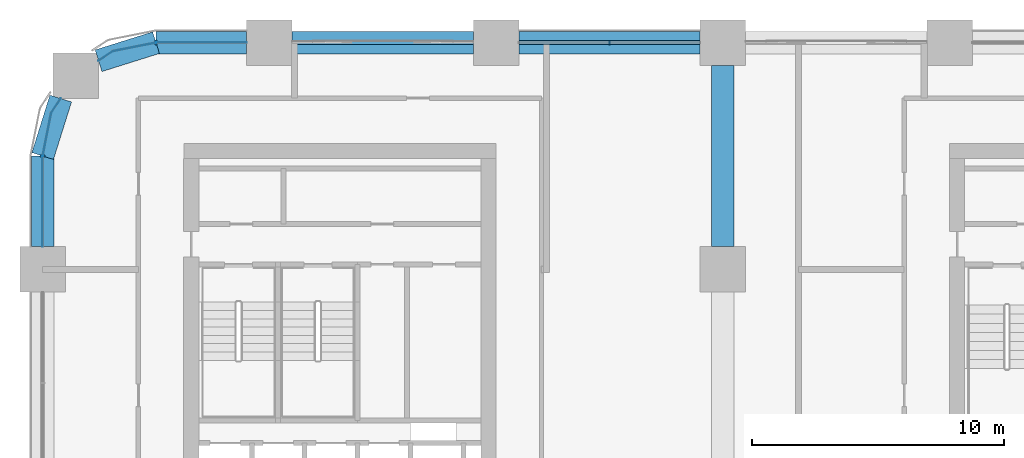
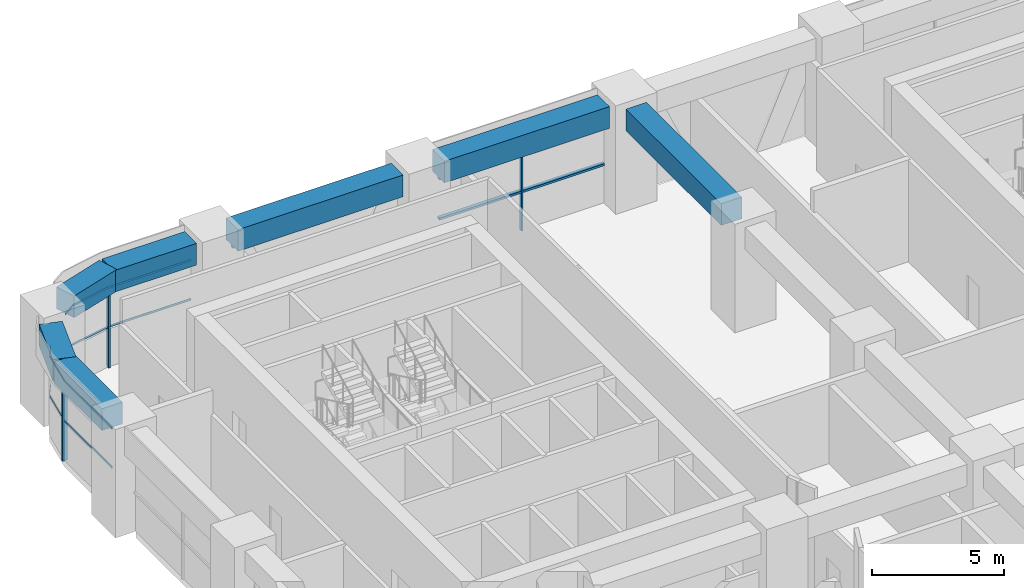
# One storey, part 8 of 26: 10 members, 7 beams, 4 elements without a shape of their own.
"""IFC4 building model written with IfcOpenShell, lengths in metres."""

from ifc_helpers import new_model, si_unit, direction, frame, origin, origin_2d, place, context, subcontext, project, spatial, polyline, rectangle, outline, extrude, material, material_profile, profile_set, type_object, element, aggregate, save


model = new_model("IFC4")

# Units and contexts
model_context = context("Model", 3, precision=1e-05, world=origin(), true_north=direction((0.0, 1.0)))
body_context = subcontext(model_context, "Body", "Model", "MODEL_VIEW")
ifc_project = project(units=[si_unit("LENGTHUNIT", "METRE"), si_unit("AREAUNIT", "SQUARE_METRE"), si_unit("VOLUMEUNIT", "CUBIC_METRE"), si_unit("PLANEANGLEUNIT", "RADIAN"), si_unit("MASSUNIT", "GRAM", prefix="KILO")], contexts=[model_context])

# Site, building, storey
site_placement = place(None, origin())
site = spatial("IfcSite", under=ifc_project, at=site_placement, CompositionType="ELEMENT")
building_placement = place(site_placement, origin())
building = spatial("IfcBuilding", under=site, at=building_placement, Name="Tessera Arch", CompositionType="ELEMENT")
storey_placement = place(building_placement, frame((0.0, 0.0, 72.800048828125)))
storey = spatial("IfcBuildingStorey", under=building, at=storey_placement, Name="L16", CompositionType="ELEMENT", Elevation=72.800048828125)

# Curtain wall, members
ifc_material_1 = material(Name="CW1 curtain wall")
curtain_wall_type_1 = type_object("IfcCurtainWallType", Name="CW1 curtain wall", PredefinedType="NOTDEFINED", material=ifc_material_1)
curtain_wall_1_placement = place(storey_placement, origin())
curtain_wall_1 = element("IfcCurtainWall", 1, at=curtain_wall_1_placement, inside=storey, type_object=curtain_wall_type_1, Name="CW1 curtain wall N54.0/3 L16", PredefinedType="NOTDEFINED")
ifc_material_2 = material(Name="Anodised aluminium pale metal", Category="aluminium")
ifc_material_profile_1 = material_profile(ifc_material_2, rectangle(XDim=0.159912109375, YDim=0.06005859375, at=origin_2d()), Name="AL 60x160")
ifc_profile_set_1 = profile_set([ifc_material_profile_1], Name="Anodised aluminium pale metal")
member_type_1 = type_object("IfcMemberType", Name="CW1 mullion", PredefinedType="MULLION", material=ifc_profile_set_1)
member_1_placement = place(storey_placement, frame((22.5, 54.0, 0.0), z_axis=(0.0, 0.0, 1.0), x_axis=(0.0, -1.0, 0.0)))
member_1 = element("IfcMember", 2, at=member_1_placement, type_object=member_type_1, Name="CW1 mullion N54.0/3 1", PredefinedType="MULLION", context=body_context, shape_type="SweptSolid", body=[
    extrude(rectangle(XDim=0.159912109375, YDim=0.06005859375, at=origin_2d()), origin(), (0.0, 0.0, 1.0), 3.599853515625),
])
ifc_material_3 = material(Name="Anodised aluminium pale metal", Category="aluminium")
ifc_material_profile_2 = material_profile(ifc_material_3, rectangle(XDim=0.159912109375, YDim=0.10009765625, at=origin_2d()), Name="AL 160x100")
ifc_profile_set_2 = profile_set([ifc_material_profile_2], Name="Anodised aluminium pale metal")
member_type_2 = type_object("IfcMemberType", Name="CW1 transom", PredefinedType="USERDEFINED", material=ifc_profile_set_2)
member_2_placement = place(storey_placement, frame((26.10009765625, 54.0, 3.64990234375), z_axis=(-1.0, 0.0, 0.0), x_axis=(0.0, -1.0, 0.0)))
member_2 = element("IfcMember", 3, at=member_2_placement, type_object=member_type_2, Name="CW1 transom N54.0/3 1.1", ObjectType="TRANSOM", PredefinedType="USERDEFINED", context=body_context, shape_type="SweptSolid", body=[
    extrude(rectangle(XDim=0.159912109375, YDim=0.10009765625, at=origin_2d()), origin(), (0.0, 0.0, 1.0), 7.2001953125),
])
member_3_placement = place(storey_placement, frame((26.10009765625, 54.0, 1.800048828125), z_axis=(-1.0, 0.0, 0.0), x_axis=(0.0, -1.0, 0.0)))
member_3 = element("IfcMember", 4, at=member_3_placement, type_object=member_type_2, Name="CW1 transom N54.0/3 2.1", ObjectType="TRANSOM", PredefinedType="USERDEFINED", context=body_context, shape_type="SweptSolid", body=[
    extrude(rectangle(XDim=0.159912109375, YDim=0.10009765625, at=origin_2d()), origin(), (0.0, 0.0, 1.0), 7.2001953125),
])
aggregate(curtain_wall_1, [member_1, member_2, member_3])

# Curtain wall, member
ifc_material_4 = material(Name="CW2 curtain wall")
curtain_wall_type_2 = type_object("IfcCurtainWallType", Name="CW2 curtain wall", PredefinedType="NOTDEFINED", material=ifc_material_4)
curtain_wall_2_placement = place(storey_placement, origin())
curtain_wall_2 = element("IfcCurtainWall", 5, at=curtain_wall_2_placement, inside=storey, type_object=curtain_wall_type_2, Name="CW2 curtain wall N54.0/5 L16", PredefinedType="NOTDEFINED")
ifc_material_5 = material(Name="Anodised aluminium pale metal", Category="aluminium")
ifc_material_profile_3 = material_profile(ifc_material_5, rectangle(XDim=0.199951171875, YDim=0.080078125, at=origin_2d()), Name="AL 80x200")
ifc_profile_set_3 = profile_set([ifc_material_profile_3], Name="Anodised aluminium pale metal")
member_type_3 = type_object("IfcMemberType", Name="CW2 mullion", PredefinedType="MULLION", material=ifc_profile_set_3)
member_4_placement = place(storey_placement, frame((4.5, 54.0, 0.0), z_axis=(0.0, 0.0, 1.0), x_axis=(0.0, -1.0, 0.0)))
member_4 = element("IfcMember", 6, at=member_4_placement, type_object=member_type_3, Name="CW2 mullion N54.0/5 1", PredefinedType="MULLION", context=body_context, shape_type="SweptSolid", body=[
    extrude(rectangle(XDim=0.199951171875, YDim=0.080078125, at=origin_2d()), origin(), (0.0, 0.0, 1.0), 3.599853515625),
])

curtain_wall_3_placement = place(storey_placement, origin())
curtain_wall_3 = element("IfcCurtainWall", 7, at=curtain_wall_3_placement, inside=storey, type_object=curtain_wall_type_2, Name="CW2 curtain wall W0.0/0 L16", PredefinedType="NOTDEFINED")
member_5_placement = place(storey_placement, frame((0.0, 49.5, 0.0), z_axis=(0.0, 0.0, 1.0), x_axis=(1.0, 0.0, 0.0)))
member_5 = element("IfcMember", 8, at=member_5_placement, type_object=member_type_3, Name="CW2 mullion W0.0/0 1", PredefinedType="MULLION", context=body_context, shape_type="SweptSolid", body=[
    extrude(rectangle(XDim=0.199951171875, YDim=0.080078125, at=origin_2d()), origin(), (0.0, 0.0, 1.0), 3.599853515625),
])

# Member
ifc_material_6 = material(Name="Anodised aluminium pale metal", Category="aluminium")
ifc_material_profile_4 = material_profile(ifc_material_6, rectangle(XDim=0.199951171875, YDim=0.10009765625, at=origin_2d()), Name="AL 200x100")
ifc_profile_set_4 = profile_set([ifc_material_profile_4], Name="Anodised aluminium pale metal")
member_type_4 = type_object("IfcMemberType", Name="CW2 transom", PredefinedType="USERDEFINED", material=ifc_profile_set_4)
member_6_placement = place(storey_placement, frame((0.0, 0.0, 1.800048828125)))
member_6 = element("IfcMember", 9, at=member_6_placement, type_object=member_type_4, Name="CW2 transom N54.0/5 1", ObjectType="TRANSOM", PredefinedType="USERDEFINED", context=body_context, shape_type="SweptSolid", body=[
    extrude(outline(polyline([(4.5009765625, 53.989990234375), (8.10009765625, 53.989990234375), (8.10009765625, 54.010009765625), (4.4990234375, 54.010009765625), (2.77392578125, 53.6669921875), (2.21240234375, 53.29150390625), (2.2236328125, 53.27490234375), (2.78173828125, 53.648193359375), (4.5009765625, 53.989990234375)])), origin(), (0.0, 0.0, 1.0), 0.099853515625),
])

member_7_placement = place(storey_placement, frame((0.0, 0.0, 3.599853515625)))
member_7 = element("IfcMember", 10, at=member_7_placement, type_object=member_type_4, Name="CW2 transom N54.0/5 2", ObjectType="TRANSOM", PredefinedType="USERDEFINED", context=body_context, shape_type="SweptSolid", body=[
    extrude(outline(polyline([(4.5009765625, 53.989990234375), (8.10009765625, 53.989990234375), (8.10009765625, 54.010009765625), (4.4990234375, 54.010009765625), (2.77392578125, 53.6669921875), (2.21240234375, 53.29150390625), (2.2236328125, 53.27490234375), (2.78173828125, 53.648193359375), (4.5009765625, 53.989990234375)])), origin(), (0.0, 0.0, 1.0), 0.10009765625),
])

aggregate(curtain_wall_2, [member_4, member_6, member_7])

member_8_placement = place(storey_placement, frame((0.0, 0.0, 1.800048828125)))
member_8 = element("IfcMember", 11, at=member_8_placement, type_object=member_type_4, Name="CW2 transom W0.0/0 1", ObjectType="TRANSOM", PredefinedType="USERDEFINED", context=body_context, shape_type="SweptSolid", body=[
    extrude(outline(polyline([(0.351806640625, 51.21826171875), (0.72509765625, 51.7763671875), (0.70849609375, 51.78759765625), (0.3330078125, 51.22607421875), (-0.010009765625, 49.5009765625), (-0.010009765625, 45.89990234375), (0.010009765625, 45.89990234375), (0.010009765625, 49.4990234375), (0.351806640625, 51.21826171875)])), origin(), (0.0, 0.0, 1.0), 0.099853515625),
])

member_9_placement = place(storey_placement, frame((0.0, 0.0, 3.599853515625)))
member_9 = element("IfcMember", 12, at=member_9_placement, type_object=member_type_4, Name="CW2 transom W0.0/0 2", ObjectType="TRANSOM", PredefinedType="USERDEFINED", context=body_context, shape_type="SweptSolid", body=[
    extrude(outline(polyline([(0.351806640625, 51.21826171875), (0.72509765625, 51.7763671875), (0.70849609375, 51.78759765625), (0.3330078125, 51.22607421875), (-0.010009765625, 49.5009765625), (-0.010009765625, 45.89990234375), (0.010009765625, 45.89990234375), (0.010009765625, 49.4990234375), (0.351806640625, 51.21826171875)])), origin(), (0.0, 0.0, 1.0), 0.10009765625),
])

aggregate(curtain_wall_3, [member_5, member_8, member_9])

# Curtain wall, member
ifc_material_7 = material(Name="CW3 curtain wall")
curtain_wall_type_3 = type_object("IfcCurtainWallType", Name="CW3 curtain wall", PredefinedType="NOTDEFINED", material=ifc_material_7)
curtain_wall_4_placement = place(storey_placement, origin())
curtain_wall_4 = element("IfcCurtainWall", 13, at=curtain_wall_4_placement, inside=storey, type_object=curtain_wall_type_3, Name="CW3 curtain wall N54.0/4 L16", PredefinedType="NOTDEFINED")
ifc_material_8 = material(Name="Anodised aluminium pale metal", Category="aluminium")
ifc_material_profile_5 = material_profile(ifc_material_8, rectangle(XDim=0.139892578125, YDim=0.10009765625, at=origin_2d()), Name="AL 140x100")
ifc_profile_set_5 = profile_set([ifc_material_profile_5], Name="Anodised aluminium pale metal")
member_type_5 = type_object("IfcMemberType", Name="CW3 transom", PredefinedType="USERDEFINED", material=ifc_profile_set_5)
member_10_placement = place(storey_placement, frame((17.10009765625, 54.0, 3.64990234375), z_axis=(-1.0, 0.0, 0.0), x_axis=(0.0, -1.0, 0.0)))
member_10 = element("IfcMember", 14, at=member_10_placement, type_object=member_type_5, Name="CW3 transom N54.0/4 1.1", ObjectType="TRANSOM", PredefinedType="USERDEFINED", context=body_context, shape_type="SweptSolid", body=[
    extrude(rectangle(XDim=0.139892578125, YDim=0.10009765625, at=origin_2d()), origin(), (0.0, 0.0, 1.0), 7.2001953125),
])
aggregate(curtain_wall_4, [member_10])

# Beams
ifc_material_9 = material(Name="Concrete C80/95", Category="concrete")
ifc_material_profile_6 = material_profile(ifc_material_9, rectangle(XDim=0.89990234375, YDim=1.0, at=origin_2d()), Name="RC spandrel beam 900 x 1000 Concrete C80/95")
ifc_profile_set_6 = profile_set([ifc_material_profile_6], Name="Concrete C80/95")
beam_type = type_object("IfcBeamType", Name="RC spandrel beam 900 x 1000 Concrete C80/95", PredefinedType="BEAM", material=ifc_profile_set_6)
for number, where, z_axis, x_axis, name in (
    (15, (26.10009765625, 54.0, 4.199951171875), (-1.0, 0.0, 0.0), (0.0, -1.0, 0.0), "Spandrel beam L16 N54.0/3"),
    (16, (17.10009765625, 54.0, 4.199951171875), (-1.0, 0.0, 0.0), (0.0, -1.0, 0.0), "Spandrel beam L16 N54.0/4"),
):
    element("IfcBeam", number, at=place(storey_placement, frame(where, z_axis=z_axis, x_axis=x_axis)), inside=storey, type_object=beam_type, Name=name, PredefinedType="BEAM", context=body_context, shape_type="SweptSolid", body=[
        extrude(rectangle(XDim=0.89990234375, YDim=1.0, at=origin_2d()), origin(), (0.0, 0.0, 1.0), 7.2001953125),
    ])
beam_1_placement = place(storey_placement, frame((8.10009765625, 54.0, 4.199951171875), z_axis=(-1.0, 0.0, 0.0), x_axis=(0.0, -1.0, 0.0)))
element("IfcBeam", 17, at=beam_1_placement, inside=storey, type_object=beam_type, Name="Spandrel beam L16 N54.0/5.1", PredefinedType="BEAM", context=body_context, shape_type="SweptSolid", body=[
    extrude(rectangle(XDim=0.89990234375, YDim=1.0, at=origin_2d()), origin(), (0.0, 0.0, 1.0), 3.60009765625),
])
for number, where, z_axis, x_axis, name in (
    (18, (4.5, 54.0, 4.199951171875), (-0.954041251279, -0.299675309057, 0.0), (0.299675309057, -0.954041251279, 0.0), "Spandrel beam L16 N54.0/5.2"),
    (19, (0.716796875, 51.781982421875, 4.199951171875), (-0.299675309057, -0.954041251279, 0.0), (0.954041251279, -0.299675309057, 0.0), "Spandrel beam L16 W0.0/0.1"),
):
    element("IfcBeam", number, at=place(storey_placement, frame(where, z_axis=z_axis, x_axis=x_axis)), inside=storey, type_object=beam_type, Name=name, PredefinedType="BEAM", context=body_context, shape_type="SweptSolid", body=[
        extrude(rectangle(XDim=0.89990234375, YDim=1.0, at=origin_2d()), origin(), (0.0, 0.0, 1.0), 2.391845703125),
    ])
beam_2_placement = place(storey_placement, frame((0.0, 49.5, 4.199951171875), z_axis=(0.0, -1.0, 0.0), x_axis=(1.0, 0.0, 0.0)))
element("IfcBeam", 20, at=beam_2_placement, inside=storey, type_object=beam_type, Name="Spandrel beam L16 W0.0/0.2", PredefinedType="BEAM", context=body_context, shape_type="SweptSolid", body=[
    extrude(rectangle(XDim=0.89990234375, YDim=1.0, at=origin_2d()), origin(), (0.0, 0.0, 1.0), 3.60009765625),
])
beam_3_placement = place(storey_placement, frame((27.0, 45.89990234375, 4.199951171875), z_axis=(0.0, 1.0, 0.0), x_axis=(-1.0, 0.0, 0.0)))
element("IfcBeam", 21, at=beam_3_placement, inside=storey, type_object=beam_type, Name="Interface beam L16 I0C4F-C4G", PredefinedType="BEAM", context=body_context, shape_type="SweptSolid", body=[
    extrude(rectangle(XDim=0.89990234375, YDim=1.0, at=origin_2d()), origin(), (0.0, 0.0, 1.0), 7.2001953125),
])

save(model, "model.ifc")
